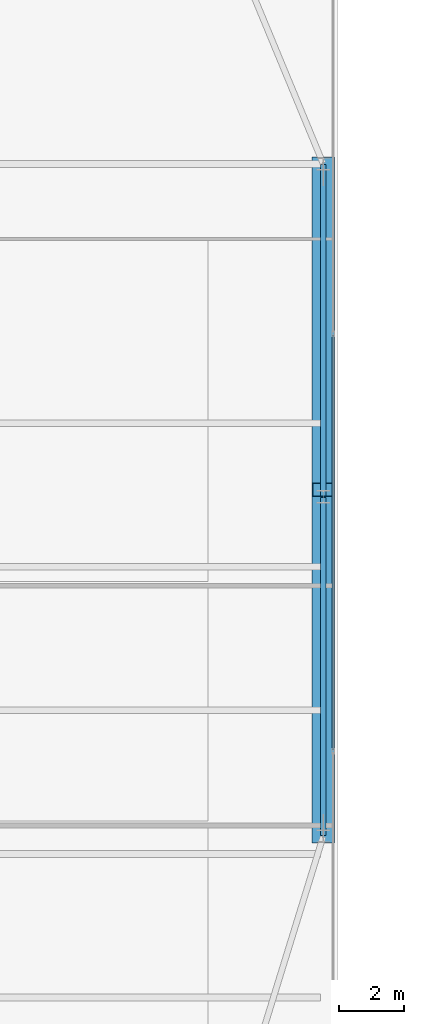
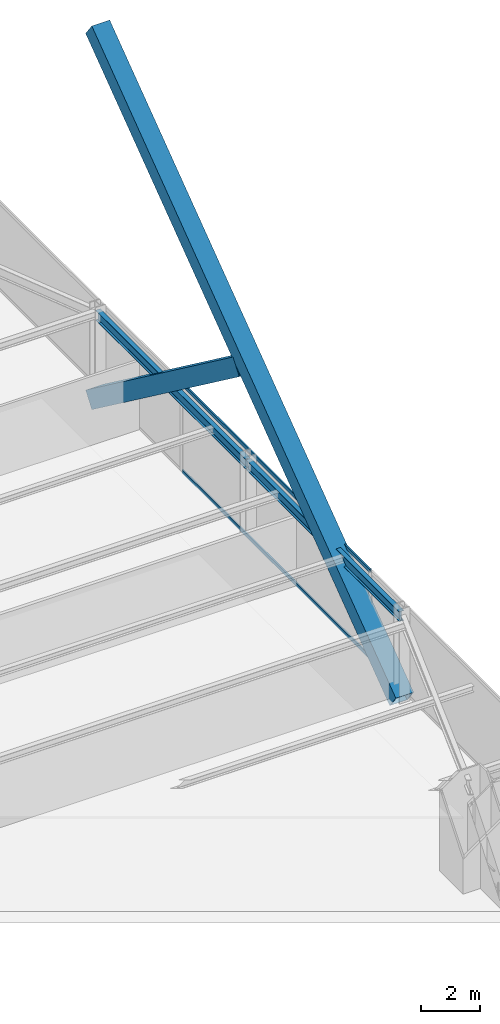
# One storey, part 24 of 34: 4 members, 2 beams, 1 element without a shape of its own.
"""IFC4 building model written with IfcOpenShell, lengths in metres."""

from ifc_helpers import new_model, si_unit, direction, frame, origin, origin_2d, place, context, subcontext, project, spatial, hollow_rectangle, i_section, extrude, source, transform, mapped, material, layer, layer_set, material_profile, profile_set, type_object, type_shapes, element, aggregate, save


model = new_model("IFC4")

# Units and contexts
model_context = context("Model", 3, precision=1e-05, world=origin(), true_north=direction((0.0, 1.0)))
body_context = subcontext(model_context, "Body", "Model", "MODEL_VIEW")
ifc_project = project(units=[si_unit("LENGTHUNIT", "METRE"), si_unit("AREAUNIT", "SQUARE_METRE"), si_unit("VOLUMEUNIT", "CUBIC_METRE"), si_unit("PLANEANGLEUNIT", "RADIAN"), si_unit("MASSUNIT", "GRAM", prefix="KILO")], contexts=[model_context])

# Site, building, storey
site_placement = place(None, origin())
site = spatial("IfcSite", under=ifc_project, at=site_placement, CompositionType="ELEMENT")
building_placement = place(site_placement, origin())
building = spatial("IfcBuilding", under=site, at=building_placement, Name="Varnel Quay Broadcast Tower", CompositionType="ELEMENT")
storey_placement = place(building_placement, frame((0.0, 0.0, 27.60009765625)))
storey = spatial("IfcBuildingStorey", under=building, at=storey_placement, Name="L05", CompositionType="ELEMENT", Elevation=27.60009765625)

# Beams
ifc_material_1 = material(Name="Structural Steel CSA G40.21 350W", Category="steel")
ifc_material_profile_1 = material_profile(ifc_material_1, i_section(OverallWidth=0.180908203125, OverallDepth=0.4169921875, WebThickness=0.010986328125, FlangeThickness=0.018310546875, FilletRadius=0.011962890625, at=origin_2d()), Name="W410X85")
ifc_profile_set_1 = profile_set([ifc_material_profile_1], Name="Structural Steel CSA G40.21 350W")
beam_type = type_object("IfcBeamType", Name="Beam_W410X85", PredefinedType="SPANDREL", material=ifc_profile_set_1)
shared_shape_1 = source(origin(), body_context, "Body", "SweptSolid", [
    extrude(i_section(OverallWidth=0.180908203125, OverallDepth=0.4169921875, WebThickness=0.010986328125, FlangeThickness=0.018310546875, FilletRadius=0.011962890625, at=origin_2d()), origin(), (0.0, 0.0, 1.0), 10.35986328125),
])
beam_1_placement = place(storey_placement, frame((65.550048828125, 15.02001953125, 3.44140625), z_axis=(0.0, 1.0, 0.0), x_axis=(-1.0, 0.0, 0.0)))
element("IfcBeam", 1, at=beam_1_placement, inside=storey, type_object=beam_type, Name="L05 East Spandrel TC-E1-TC-E2", PredefinedType="SPANDREL", context=body_context, shape_type="MappedRepresentation", body=[
    mapped(shared_shape_1, transform((0.0, 0.0, 0.0), x_axis=(1.0, 0.0, 0.0), y_axis=(0.0, 1.0, 0.0), z_axis=(0.0, 0.0, 1.0), scale=1.0)),
])
shared_shape_2 = source(origin(), body_context, "Body", "SweptSolid", [
    extrude(i_section(OverallWidth=0.180908203125, OverallDepth=0.4169921875, WebThickness=0.010986328125, FlangeThickness=0.018310546875, FilletRadius=0.011962890625, at=origin_2d()), origin(), (0.0, 0.0, 1.0), 10.16015625),
])
type_shapes(beam_type, [shared_shape_1, shared_shape_2])
beam_2_placement = place(storey_placement, frame((65.550048828125, 25.419921875, 3.44140625), z_axis=(0.0, 1.0, 0.0), x_axis=(-1.0, 0.0, 0.0)))
element("IfcBeam", 2, at=beam_2_placement, inside=storey, type_object=beam_type, Name="L05 East Spandrel TC-E2-TC-E3", PredefinedType="SPANDREL", context=body_context, shape_type="MappedRepresentation", body=[
    mapped(shared_shape_2, transform((0.0, 0.0, 0.0), x_axis=(1.0, 0.0, 0.0), y_axis=(0.0, 1.0, 0.0), z_axis=(0.0, 0.0, 1.0), scale=1.0)),
])

# Members
ifc_material_2 = material(Name="Structural Steel CSA G40.21 350WT", Category="steel")
ifc_material_profile_2 = material_profile(ifc_material_2, hollow_rectangle(XDim=0.699951171875, YDim=0.699951171875, WallThickness=0.031982421875, at=origin_2d()), Name="BOX700X700X32")
ifc_profile_set_2 = profile_set([ifc_material_profile_2], Name="Structural Steel CSA G40.21 350WT")
member_type_1 = type_object("IfcMemberType", Name="Brace_BOX700X700X32", PredefinedType="BRACE", material=ifc_profile_set_2)
shared_shape_3 = source(origin(), body_context, "Body", "SweptSolid", [
    extrude(hollow_rectangle(XDim=0.699951171875, YDim=0.699951171875, WallThickness=0.031982421875, at=origin_2d()), origin(), (0.0, 0.0, 1.0), 25.666259765625),
])
member_1_placement = place(storey_placement, frame((65.550048828125, 15.0, 0.02001953125), z_axis=(0.0, 0.802615422948, 0.596496842277), x_axis=(-1.0, 0.0, 0.0)))
element("IfcMember", 3, at=member_1_placement, inside=storey, type_object=member_type_1, Name="Zone 1 Mega-Brace E-FT1 Continuous Diag A", PredefinedType="BRACE", context=body_context, shape_type="MappedRepresentation", body=[
    mapped(shared_shape_3, transform((0.0, 0.0, 0.0), x_axis=(1.0, 0.0, 0.0), y_axis=(0.0, 1.0, 0.0), z_axis=(0.0, 0.0, 1.0), scale=1.0)),
])
shared_shape_4 = source(origin(), body_context, "Body", "SweptSolid", [
    extrude(hollow_rectangle(XDim=0.699951171875, YDim=0.699951171875, WallThickness=0.031982421875, at=origin_2d()), origin(), (0.0, 0.0, 1.0), 12.442626953125),
])
type_shapes(member_type_1, [shared_shape_3, shared_shape_4])
member_2_placement = place(storey_placement, frame((65.550048828125, 35.60009765625, 0.02001953125), z_axis=(0.0, -0.80262468038, 0.596484385751), x_axis=(1.0, 0.0, 0.0)))
element("IfcMember", 4, at=member_2_placement, inside=storey, type_object=member_type_1, Name="Zone 1 Mega-Brace E-FT1 Split Diag B1", PredefinedType="BRACE", context=body_context, shape_type="MappedRepresentation", body=[
    mapped(shared_shape_4, transform((0.0, 0.0, 0.0), x_axis=(1.0, 0.0, 0.0), y_axis=(0.0, 1.0, 0.0), z_axis=(0.0, 0.0, 1.0), scale=1.0)),
])

# Curtain wall, members
ifc_material_3 = material(Name="Anodised Bronze Aluminium 6063-T6", Category="aluminium")
ifc_layer = layer(ifc_material_3, 0.18994140625, Name="Anodised Bronze Aluminium 6063-T6")
ifc_layer_set = layer_set([ifc_layer], Name="Anodised Bronze Aluminium 6063-T6")
curtain_wall_type = type_object("IfcCurtainWallType", Name="CW_LowerTower", PredefinedType="NOTDEFINED", material=ifc_layer_set)
curtain_wall_placement = place(storey_placement, origin())
curtain_wall = element("IfcCurtainWall", 5, at=curtain_wall_placement, inside=storey, type_object=curtain_wall_type, Name="L05 East Unitised Curtain Wall", PredefinedType="NOTDEFINED")
ifc_material_profile_3 = material_profile(ifc_material_3, hollow_rectangle(XDim=0.06005859375, YDim=0.14501953125, WallThickness=0.00341796875, at=origin_2d()), Name="ALU60X145X3.5")
ifc_profile_set_3 = profile_set([ifc_material_profile_3], Name="Anodised Bronze Aluminium 6063-T6")
member_type_2 = type_object("IfcMemberType", Name="Tran_CWS-02", PredefinedType="USERDEFINED", material=ifc_profile_set_3)
shared_shape_5 = source(origin(), body_context, "Body", "SweptSolid", [
    extrude(hollow_rectangle(XDim=0.06005859375, YDim=0.14501953125, WallThickness=0.00341796875, at=origin_2d()), origin(), (0.0, 0.0, 1.0), 12.72998046875),
])
type_shapes(member_type_2, [shared_shape_5])
member_3_placement = place(storey_placement, frame((65.85009765625, 17.635009765625, 0.02978515625), z_axis=(0.0, 1.0, 0.0), x_axis=(-1.0, 0.0, 0.0)))
member_3 = element("IfcMember", 6, at=member_3_placement, type_object=member_type_2, Name="CWS-02 transom 2.1", ObjectType="TRANSOM", PredefinedType="USERDEFINED", context=body_context, shape_type="MappedRepresentation", body=[
    mapped(shared_shape_5, transform((0.0, 0.0, 0.0), x_axis=(1.0, 0.0, 0.0), y_axis=(0.0, 1.0, 0.0), z_axis=(0.0, 0.0, 1.0), scale=1.0)),
])
member_4_placement = place(storey_placement, frame((65.85009765625, 17.635009765625, 3.619873046875), z_axis=(0.0, 1.0, 0.0), x_axis=(-1.0, 0.0, 0.0)))
member_4 = element("IfcMember", 7, at=member_4_placement, type_object=member_type_2, Name="CWS-02 transom 2.2", ObjectType="TRANSOM", PredefinedType="USERDEFINED", context=body_context, shape_type="MappedRepresentation", body=[
    mapped(shared_shape_5, transform((0.0, 0.0, 0.0), x_axis=(1.0, 0.0, 0.0), y_axis=(0.0, 1.0, 0.0), z_axis=(0.0, 0.0, 1.0), scale=1.0)),
])
aggregate(curtain_wall, [member_3, member_4])

save(model, "model.ifc")
